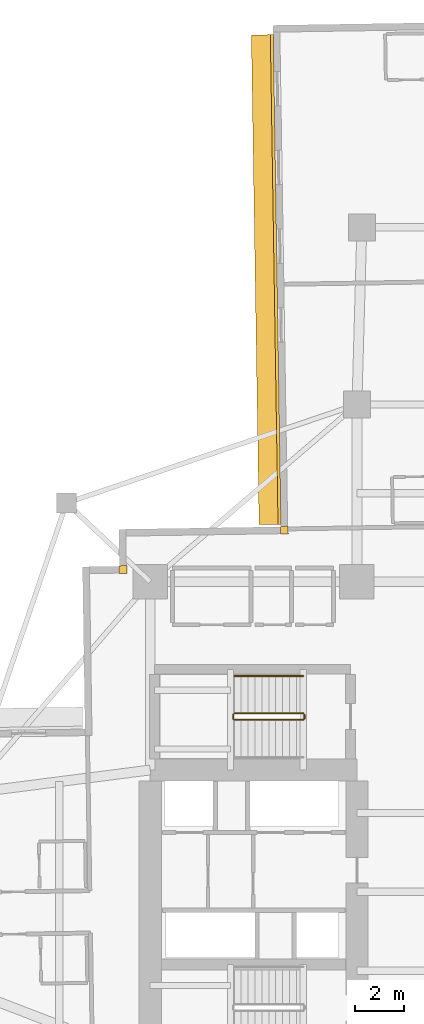
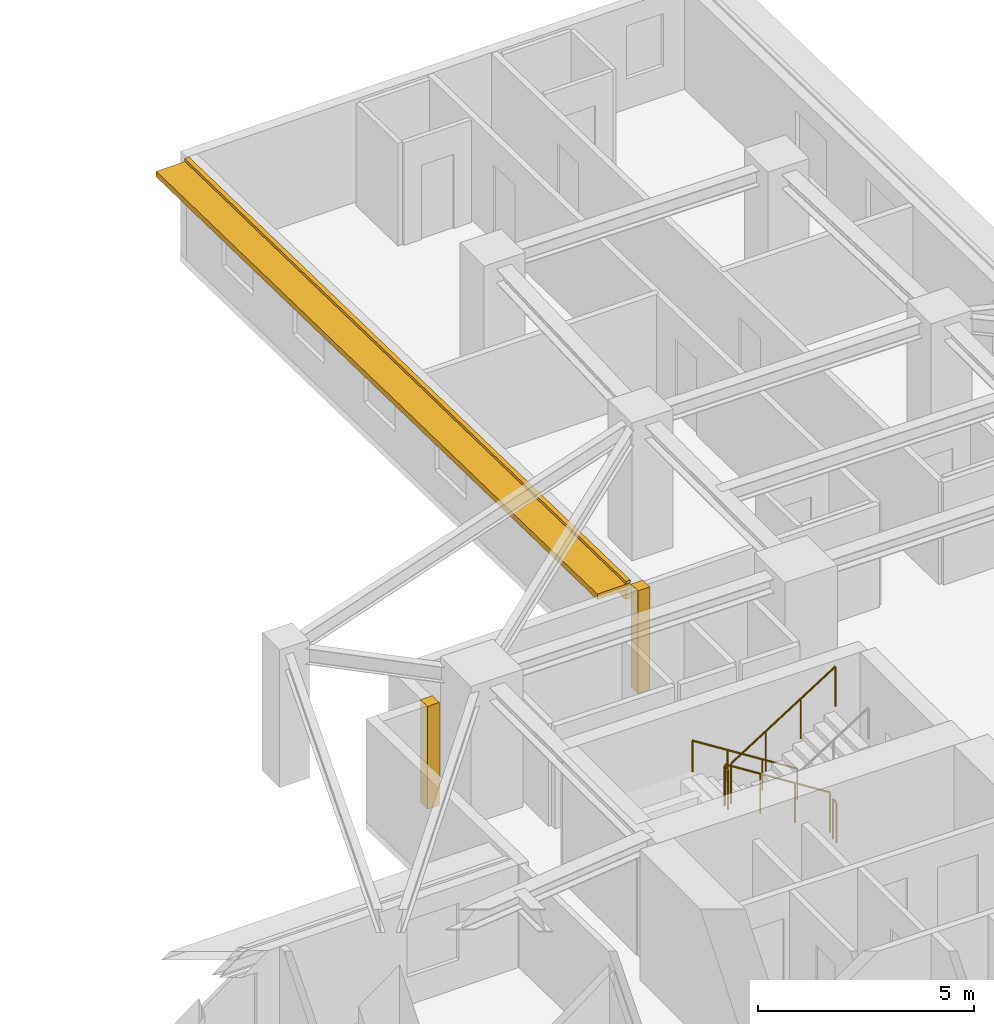
# One storey, part 13 of 14: 5 railings, 3 coverings, 1 shading device.
"""IFC4 building model written with IfcOpenShell, lengths in metres."""

from ifc_helpers import new_model, si_unit, direction, frame, origin, origin_2d, place, context, subcontext, project, spatial, rectangle, circle, extrude, material, layer, layer_set, type_object, element, save


model = new_model("IFC4")

# Units and contexts
model_context = context("Model", 3, precision=1e-05, world=origin(), true_north=direction((0.0, 1.0)))
body_context = subcontext(model_context, "Body", "Model", "MODEL_VIEW")
ifc_project = project(units=[si_unit("LENGTHUNIT", "METRE"), si_unit("AREAUNIT", "SQUARE_METRE"), si_unit("VOLUMEUNIT", "CUBIC_METRE"), si_unit("PLANEANGLEUNIT", "RADIAN"), si_unit("MASSUNIT", "GRAM", prefix="KILO")], contexts=[model_context])

# Site, building, storey
site_placement = place(None, origin())
site = spatial("IfcSite", under=ifc_project, at=site_placement, CompositionType="ELEMENT")
building_placement = place(site_placement, origin())
building = spatial("IfcBuilding", under=site, at=building_placement, Name="Qingluan Cross Belvedere", CompositionType="ELEMENT")
storey_placement = place(building_placement, frame((0.0, 0.0, 60.0)))
storey = spatial("IfcBuildingStorey", under=building, at=storey_placement, Name="L15", CompositionType="ELEMENT", Elevation=60.0)

# Coverings
ifc_material_1 = material(Name="Precast concrete C45", Category="concrete")
ifc_layer_1 = layer(ifc_material_1, 0.1201171875, Name="ConcreteSpandrelCladding_120")
ifc_layer_set_1 = layer_set([ifc_layer_1], Name="Precast concrete C45")
covering_type = type_object("IfcCoveringType", Name="ConcreteSpandrelCladding_120", PredefinedType="CLADDING", material=ifc_layer_set_1)
covering_placement = place(storey_placement, frame((-7.3017578125, 24.87841796875, 2.449951171875), z_axis=(0.0, 0.0, 1.0), x_axis=(0.015711457647, -0.999876567432, 0.0)))
element("IfcCovering", 1, at=covering_placement, inside=storey, type_object=covering_type, Name="Spandrel cladding L15-NB", PredefinedType="CLADDING", context=body_context, shape_type="SweptSolid", body=[
    extrude(rectangle(XDim=19.89990234375, YDim=0.1201171875, at=origin_2d()), origin(), (0.0, 0.0, 1.0), 0.52001953125),
])
for number, where, z_axis, x_axis, name in (
    (2, (-13.50732421875, 13.089599609375, 0.0), (0.0, 0.0, 1.0), (0.999876632482, 0.015707317312, 0.0), "Corner closure L15-NW1"),
    (3, (-6.95166015625, 14.692626953125, 0.0), (0.0, 0.0, 1.0), (0.999876632482, 0.015707317312, 0.0), "Corner closure L15-NW2"),
):
    element("IfcCovering", number, at=place(storey_placement, frame(where, z_axis=z_axis, x_axis=x_axis)), inside=storey, type_object=covering_type, Name=name, PredefinedType="CLADDING", context=body_context, shape_type="SweptSolid", body=[
        extrude(rectangle(XDim=0.320068359375, YDim=0.320068359375, at=origin_2d()), origin(), (0.0, 0.0, 1.0), 2.909912109375),
    ])

# Shading device
ifc_material_2 = material(Name="Precast concrete C45", Category="concrete")
ifc_layer_2 = layer(ifc_material_2, 0.159912109375, Name="ConcreteSunshadeBand_900")
ifc_layer_set_2 = layer_set([ifc_layer_2], Name="Precast concrete C45")
shading_device_type = type_object("IfcShadingDeviceType", Name="ConcreteSunshadeBand_900", PredefinedType="USERDEFINED", material=ifc_layer_set_2)
shading_device_placement = place(storey_placement, frame((-7.681640625, 24.872314453125, 2.72998046875), z_axis=(0.0, 0.0, 1.0), x_axis=(0.015711457647, -0.999876567432, 0.0)))
element("IfcShadingDevice", 4, at=shading_device_placement, inside=storey, type_object=shading_device_type, Name="Concrete SUNSHADE L15-NB", ObjectType="SUNSHADE", PredefinedType="USERDEFINED", context=body_context, shape_type="SweptSolid", body=[
    extrude(rectangle(XDim=19.89990234375, YDim=0.89990234375, at=origin_2d()), origin(), (0.0, 0.0, 1.0), 0.159912109375),
])

# Railings
ifc_material_3 = material(Name="Brushed stainless steel tubular handrail", Category="steel")
railing_type_1 = type_object("IfcRailingType", Name="StairPitchHandrail_900", PredefinedType="HANDRAIL", material=ifc_material_3)
railing_1_placement = place(storey_placement, frame((-6.179931640625, 8.77001953125, 0.17724609375)))
element("IfcRailing", 5, at=railing_1_placement, inside=storey, type_object=railing_type_1, Name="L15 ST3 stair handrail 1", PredefinedType="HANDRAIL", context=body_context, shape_type="SweptSolid", body=[
    extrude(circle(Radius=0.02392578125, at=origin_2d()), frame((0.0, 0.0, 0.8759765625), z_axis=(-0.844908973607, 0.0, 0.534910110503), x_axis=(0.0, -1.0, 0.0)), (0.0, 0.0, 1.0), 3.31396484375),
    extrude(circle(Radius=0.02099609375, at=origin_2d()), origin(), (0.0, 0.0, 1.0), 0.851806640625),
    extrude(circle(Radius=0.02099609375, at=origin_2d()), frame((-0.933349609375, 0.0, 0.5908203125)), (0.0, 0.0, 1.0), 0.851806640625),
    extrude(circle(Radius=0.02099609375, at=origin_2d()), frame((-1.86669921875, 0.0, 1.181884765625)), (0.0, 0.0, 1.0), 0.851806640625),
    extrude(circle(Radius=0.02099609375, at=origin_2d()), frame((-2.800048828125, 0.0, 1.772705078125)), (0.0, 0.0, 1.0), 0.851806640625),
])
ifc_material_4 = material(Name="Painted steel stair well guard", Category="steel")
railing_type_2 = type_object("IfcRailingType", Name="StairWellGuard_1150", PredefinedType="BALUSTRADE", material=ifc_material_4)
railing_2_placement = place(storey_placement, frame((-6.179931640625, 7.25, 0.17724609375)))
element("IfcRailing", 6, at=railing_2_placement, inside=storey, type_object=railing_type_2, Name="L15 ST3 stair guard 1", PredefinedType="BALUSTRADE", context=body_context, shape_type="SweptSolid", body=[
    extrude(circle(Radius=0.02392578125, at=origin_2d()), frame((0.0, 0.0, 1.1259765625), z_axis=(-0.844908973607, 0.0, 0.534910110503), x_axis=(0.0, -1.0, 0.0)), (0.0, 0.0, 1.0), 3.31396484375),
    extrude(circle(Radius=0.02099609375, at=origin_2d()), origin(), (0.0, 0.0, 1.0), 1.101806640625),
    extrude(circle(Radius=0.02099609375, at=origin_2d()), frame((-0.933349609375, 0.0, 0.5908203125)), (0.0, 0.0, 1.0), 1.101806640625),
    extrude(circle(Radius=0.02099609375, at=origin_2d()), frame((-1.86669921875, 0.0, 1.181884765625)), (0.0, 0.0, 1.0), 1.101806640625),
    extrude(circle(Radius=0.02099609375, at=origin_2d()), frame((-2.800048828125, 0.0, 1.772705078125)), (0.0, 0.0, 1.0), 1.101806640625),
])
railing_3_placement = place(storey_placement, frame((-9.030029296875, 7.199951171875, 1.949951171875)))
element("IfcRailing", 7, at=railing_3_placement, inside=storey, type_object=railing_type_2, Name="L15 ST3 stair guard 2", PredefinedType="BALUSTRADE", context=body_context, shape_type="SweptSolid", body=[
    extrude(circle(Radius=0.02392578125, at=origin_2d()), frame((0.0, 0.0, 1.1259765625), z_axis=(0.0, -1.0, 0.0), x_axis=(1.0, 0.0, 0.0)), (0.0, 0.0, 1.0), 0.159912109375),
    extrude(circle(Radius=0.02099609375, at=origin_2d()), origin(), (0.0, 0.0, 1.0), 1.101806640625),
    extrude(circle(Radius=0.02099609375, at=origin_2d()), frame((0.0, -0.159912109375, 0.0)), (0.0, 0.0, 1.0), 1.101806640625),
])
railing_4_placement = place(storey_placement, frame((-8.97998046875, 6.989990234375, 2.127197265625)))
element("IfcRailing", 8, at=railing_4_placement, inside=storey, type_object=railing_type_2, Name="L15 ST3 stair guard 3", PredefinedType="BALUSTRADE", context=body_context, shape_type="SweptSolid", body=[
    extrude(circle(Radius=0.02392578125, at=origin_2d()), frame((0.0, 0.0, 1.1259765625), z_axis=(0.844908973607, 0.0, 0.534910110503), x_axis=(0.0, 1.0, 0.0)), (0.0, 0.0, 1.0), 3.31396484375),
    extrude(circle(Radius=0.02099609375, at=origin_2d()), origin(), (0.0, 0.0, 1.0), 1.101806640625),
    extrude(circle(Radius=0.02099609375, at=origin_2d()), frame((0.933349609375, 0.0, 0.5908203125)), (0.0, 0.0, 1.0), 1.101806640625),
    extrude(circle(Radius=0.02099609375, at=origin_2d()), frame((1.86669921875, 0.0, 1.181884765625)), (0.0, 0.0, 1.0), 1.101806640625),
    extrude(circle(Radius=0.02099609375, at=origin_2d()), frame((2.800048828125, 0.0, 1.772705078125)), (0.0, 0.0, 1.0), 1.101806640625),
])
railing_5_placement = place(storey_placement, frame((-6.1298828125, 7.199951171875, 0.0)))
element("IfcRailing", 9, at=railing_5_placement, inside=storey, type_object=railing_type_2, Name="L15 ST3 stair guard 4", PredefinedType="BALUSTRADE", context=body_context, shape_type="SweptSolid", body=[
    extrude(circle(Radius=0.02392578125, at=origin_2d()), frame((0.0, 0.0, 1.1259765625), z_axis=(0.0, -1.0, 0.0), x_axis=(1.0, 0.0, 0.0)), (0.0, 0.0, 1.0), 0.159912109375),
    extrude(circle(Radius=0.02099609375, at=origin_2d()), origin(), (0.0, 0.0, 1.0), 1.101806640625),
    extrude(circle(Radius=0.02099609375, at=origin_2d()), frame((0.0, -0.159912109375, 0.0)), (0.0, 0.0, 1.0), 1.101806640625),
])

save(model, "model.ifc")
